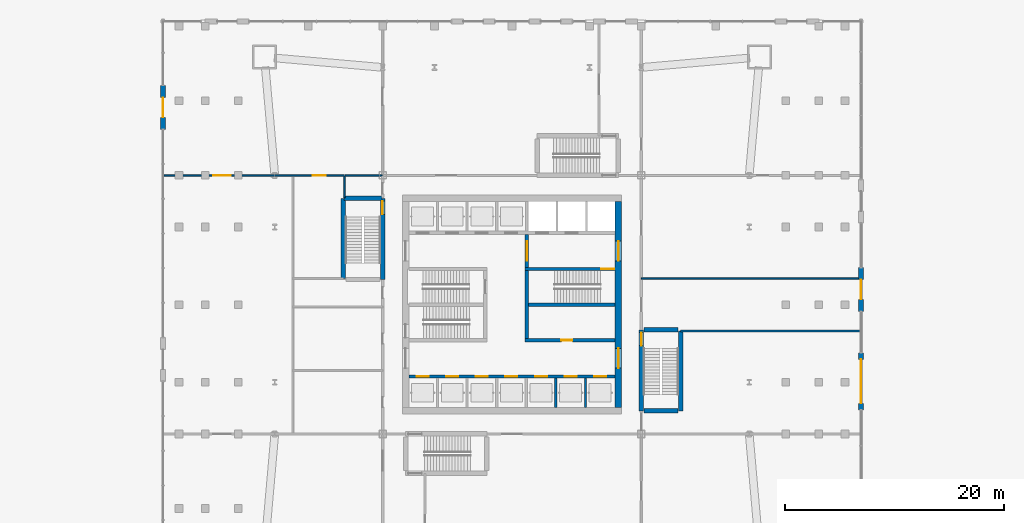
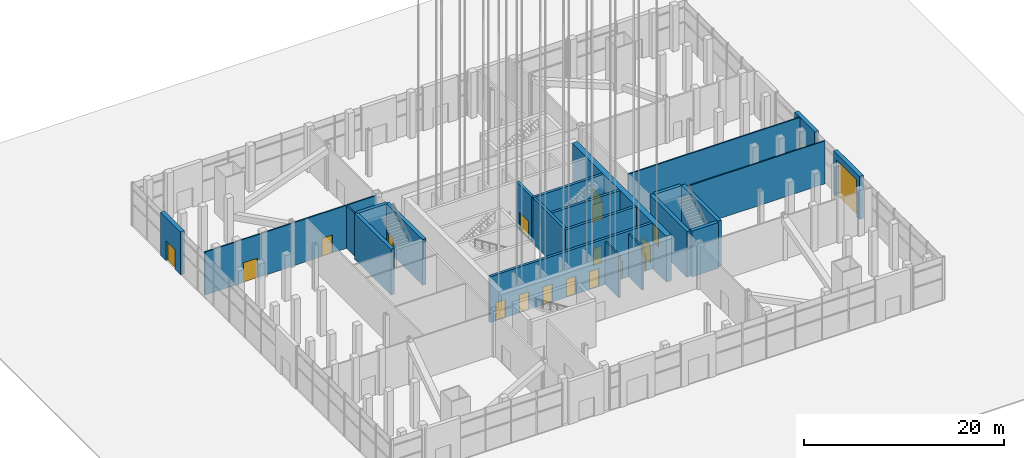
# One storey, part 13 of 27: 23 walls, 19 doors, 19 openings.
"""IFC4 building model written with IfcOpenShell, lengths in metres."""

from ifc_helpers import new_model, si_unit, direction, frame, frame_2d, origin, place, context, subcontext, project, spatial, rectangle, extrude, material, layer, layer_set, type_object, element, fill, save


model = new_model("IFC4")

# Units and contexts
model_context = context("Model", 3, precision=1e-05, world=origin(), true_north=direction((0.0, 1.0)))
body_context = subcontext(model_context, "Body", "Model", "MODEL_VIEW")
ifc_project = project(units=[si_unit("LENGTHUNIT", "METRE"), si_unit("AREAUNIT", "SQUARE_METRE"), si_unit("VOLUMEUNIT", "CUBIC_METRE"), si_unit("PLANEANGLEUNIT", "RADIAN"), si_unit("MASSUNIT", "GRAM", prefix="KILO")], contexts=[model_context])

# Site, building, storey
site_placement = place(None, origin())
site = spatial("IfcSite", under=ifc_project, at=site_placement, CompositionType="ELEMENT")
building_placement = place(site_placement, origin())
building = spatial("IfcBuilding", under=site, at=building_placement, Name="Turquesa Mirador Hotel Tower", CompositionType="ELEMENT")
storey_placement = place(building_placement, origin())
storey = spatial("IfcBuildingStorey", under=building, at=storey_placement, Name="L00", CompositionType="ELEMENT", Elevation=0.0)

# Wall, openings, doors
ifc_material_1 = material(Name="Concrete C50/60", Category="concrete")
ifc_layer_1 = layer(ifc_material_1, 0.300048828125)
ifc_layer_set_1 = layer_set([ifc_layer_1], Name="CORE INNER WALL 300")
wall_type_1 = type_object("IfcWallType", Name="CORE INNER WALL 300", PredefinedType="SHEAR", material=ifc_layer_set_1)
wall_1_placement = place(storey_placement, frame((45.60009765625, 38.449951171875, 0.0), z_axis=(0.0, 0.0, 1.0), x_axis=(1.0, 0.0, 0.0)))
wall_1 = element("IfcWall", 1, at=wall_1_placement, inside=storey, type_object=wall_type_1, Name="Core wall SL", PredefinedType="SHEAR", context=body_context, shape_type="SweptSolid", body=[
    extrude(rectangle(XDim=18.7998046875, YDim=0.300048828125, at=frame_2d((9.39990234375, 0.0))), origin(), (0.0, 0.0, 1.0), 5.60009765625),
])
opening_1_placement = place(wall_1_placement, frame((0.699951171875, 0.0, 0.0)))
opening_1 = element("IfcOpeningElement", 2, at=opening_1_placement, cuts=wall_1, Name="Opening LD", PredefinedType="OPENING", context=body_context, shape_type="SweptSolid", body=[
    extrude(rectangle(XDim=1.10009765625, YDim=2.199951171875, at=frame_2d((0.550048828125, 1.10009765625))), frame((0.0, 0.159912109375, 0.0), z_axis=(0.0, -1.0, 0.0), x_axis=(1.0, 0.0, 0.0)), (0.0, 0.0, 1.0), 0.320068359375),
])
opening_2_placement = place(wall_1_placement, frame((3.39990234375, 0.0, 0.0)))
opening_2 = element("IfcOpeningElement", 3, at=opening_2_placement, cuts=wall_1, Name="Opening LD", PredefinedType="OPENING", context=body_context, shape_type="SweptSolid", body=[
    extrude(rectangle(XDim=1.10009765625, YDim=2.199951171875, at=frame_2d((0.550048828125, 1.10009765625))), frame((0.0, 0.159912109375, 0.0), z_axis=(0.0, -1.0, 0.0), x_axis=(1.0, 0.0, 0.0)), (0.0, 0.0, 1.0), 0.320068359375),
])
opening_3_placement = place(wall_1_placement, frame((6.10009765625, 0.0, 0.0)))
opening_3 = element("IfcOpeningElement", 4, at=opening_3_placement, cuts=wall_1, Name="Opening LD", PredefinedType="OPENING", context=body_context, shape_type="SweptSolid", body=[
    extrude(rectangle(XDim=1.10009765625, YDim=2.199951171875, at=frame_2d((0.550048828125, 1.10009765625))), frame((0.0, 0.159912109375, 0.0), z_axis=(0.0, -1.0, 0.0), x_axis=(1.0, 0.0, 0.0)), (0.0, 0.0, 1.0), 0.320068359375),
])
opening_4_placement = place(wall_1_placement, frame((8.800048828125, 0.0, 0.0)))
opening_4 = element("IfcOpeningElement", 5, at=opening_4_placement, cuts=wall_1, Name="Opening LD", PredefinedType="OPENING", context=body_context, shape_type="SweptSolid", body=[
    extrude(rectangle(XDim=1.10009765625, YDim=2.199951171875, at=frame_2d((0.550048828125, 1.10009765625))), frame((0.0, 0.159912109375, 0.0), z_axis=(0.0, -1.0, 0.0), x_axis=(1.0, 0.0, 0.0)), (0.0, 0.0, 1.0), 0.320068359375),
])
opening_5_placement = place(wall_1_placement, frame((11.5, 0.0, 0.0)))
opening_5 = element("IfcOpeningElement", 6, at=opening_5_placement, cuts=wall_1, Name="Opening LD", PredefinedType="OPENING", context=body_context, shape_type="SweptSolid", body=[
    extrude(rectangle(XDim=1.10009765625, YDim=2.199951171875, at=frame_2d((0.550048828125, 1.10009765625))), frame((0.0, 0.159912109375, 0.0), z_axis=(0.0, -1.0, 0.0), x_axis=(1.0, 0.0, 0.0)), (0.0, 0.0, 1.0), 0.320068359375),
])
opening_6_placement = place(wall_1_placement, frame((14.199951171875, 0.0, 0.0)))
opening_6 = element("IfcOpeningElement", 7, at=opening_6_placement, cuts=wall_1, Name="Opening LD", PredefinedType="OPENING", context=body_context, shape_type="SweptSolid", body=[
    extrude(rectangle(XDim=1.10009765625, YDim=2.199951171875, at=frame_2d((0.550048828125, 1.10009765625))), frame((0.0, 0.159912109375, 0.0), z_axis=(0.0, -1.0, 0.0), x_axis=(1.0, 0.0, 0.0)), (0.0, 0.0, 1.0), 0.320068359375),
])
opening_7_placement = place(wall_1_placement, frame((16.89990234375, 0.0, 0.0)))
opening_7 = element("IfcOpeningElement", 8, at=opening_7_placement, cuts=wall_1, Name="Opening LD", PredefinedType="OPENING", context=body_context, shape_type="SweptSolid", body=[
    extrude(rectangle(XDim=1.10009765625, YDim=2.199951171875, at=frame_2d((0.550048828125, 1.10009765625))), frame((0.0, 0.159912109375, 0.0), z_axis=(0.0, -1.0, 0.0), x_axis=(1.0, 0.0, 0.0)), (0.0, 0.0, 1.0), 0.320068359375),
])
ifc_material_2 = material(Name="Stainless steel lift landing door", Category="steel")
door_type_1 = type_object("IfcDoorType", Name="LIFT LANDING DOOR 1100X2200", OperationType="SLIDING_TO_LEFT", PredefinedType="DOOR", material=ifc_material_2)
door_1_placement = place(opening_1_placement, origin())
door_1 = element("IfcDoor", 9, at=door_1_placement, inside=storey, type_object=door_type_1, Name="Lift B1 landing door", OperationType="SLIDING_TO_LEFT", OverallHeight=2.199951171875, OverallWidth=1.10009765625, PredefinedType="DOOR", context=body_context, shape_type="SweptSolid", body=[
    extrude(rectangle(XDim=1.10009765625, YDim=2.199951171875, at=frame_2d((0.550048828125, 1.10009765625))), frame((0.0, 0.02490234375, 0.0), z_axis=(0.0, -1.0, 0.0), x_axis=(1.0, 0.0, 0.0)), (0.0, 0.0, 1.0), 0.050048828125),
])
fill(opening_1, door_1)
door_2_placement = place(opening_2_placement, origin())
door_2 = element("IfcDoor", 10, at=door_2_placement, inside=storey, type_object=door_type_1, Name="Lift B2 landing door", OperationType="SLIDING_TO_LEFT", OverallHeight=2.199951171875, OverallWidth=1.10009765625, PredefinedType="DOOR", context=body_context, shape_type="SweptSolid", body=[
    extrude(rectangle(XDim=1.10009765625, YDim=2.199951171875, at=frame_2d((0.550048828125, 1.10009765625))), frame((0.0, 0.02490234375, 0.0), z_axis=(0.0, -1.0, 0.0), x_axis=(1.0, 0.0, 0.0)), (0.0, 0.0, 1.0), 0.050048828125),
])
fill(opening_2, door_2)
door_3_placement = place(opening_3_placement, origin())
door_3 = element("IfcDoor", 11, at=door_3_placement, inside=storey, type_object=door_type_1, Name="Lift B3 landing door", OperationType="SLIDING_TO_LEFT", OverallHeight=2.199951171875, OverallWidth=1.10009765625, PredefinedType="DOOR", context=body_context, shape_type="SweptSolid", body=[
    extrude(rectangle(XDim=1.10009765625, YDim=2.199951171875, at=frame_2d((0.550048828125, 1.10009765625))), frame((0.0, 0.02490234375, 0.0), z_axis=(0.0, -1.0, 0.0), x_axis=(1.0, 0.0, 0.0)), (0.0, 0.0, 1.0), 0.050048828125),
])
fill(opening_3, door_3)
door_4_placement = place(opening_4_placement, origin())
door_4 = element("IfcDoor", 12, at=door_4_placement, inside=storey, type_object=door_type_1, Name="Lift B4 landing door", OperationType="SLIDING_TO_LEFT", OverallHeight=2.199951171875, OverallWidth=1.10009765625, PredefinedType="DOOR", context=body_context, shape_type="SweptSolid", body=[
    extrude(rectangle(XDim=1.10009765625, YDim=2.199951171875, at=frame_2d((0.550048828125, 1.10009765625))), frame((0.0, 0.02490234375, 0.0), z_axis=(0.0, -1.0, 0.0), x_axis=(1.0, 0.0, 0.0)), (0.0, 0.0, 1.0), 0.050048828125),
])
fill(opening_4, door_4)
door_5_placement = place(opening_5_placement, origin())
door_5 = element("IfcDoor", 13, at=door_5_placement, inside=storey, type_object=door_type_1, Name="Lift X1 landing door", OperationType="SLIDING_TO_LEFT", OverallHeight=2.199951171875, OverallWidth=1.10009765625, PredefinedType="DOOR", context=body_context, shape_type="SweptSolid", body=[
    extrude(rectangle(XDim=1.10009765625, YDim=2.199951171875, at=frame_2d((0.550048828125, 1.10009765625))), frame((0.0, 0.02490234375, 0.0), z_axis=(0.0, -1.0, 0.0), x_axis=(1.0, 0.0, 0.0)), (0.0, 0.0, 1.0), 0.050048828125),
])
fill(opening_5, door_5)
door_6_placement = place(opening_6_placement, origin())
door_6 = element("IfcDoor", 14, at=door_6_placement, inside=storey, type_object=door_type_1, Name="Lift X2 landing door", OperationType="SLIDING_TO_LEFT", OverallHeight=2.199951171875, OverallWidth=1.10009765625, PredefinedType="DOOR", context=body_context, shape_type="SweptSolid", body=[
    extrude(rectangle(XDim=1.10009765625, YDim=2.199951171875, at=frame_2d((0.550048828125, 1.10009765625))), frame((0.0, 0.02490234375, 0.0), z_axis=(0.0, -1.0, 0.0), x_axis=(1.0, 0.0, 0.0)), (0.0, 0.0, 1.0), 0.050048828125),
])
fill(opening_6, door_6)
door_7_placement = place(opening_7_placement, origin())
door_7 = element("IfcDoor", 15, at=door_7_placement, inside=storey, type_object=door_type_1, Name="Lift X3 landing door", OperationType="SLIDING_TO_LEFT", OverallHeight=2.199951171875, OverallWidth=1.10009765625, PredefinedType="DOOR", context=body_context, shape_type="SweptSolid", body=[
    extrude(rectangle(XDim=1.10009765625, YDim=2.199951171875, at=frame_2d((0.550048828125, 1.10009765625))), frame((0.0, 0.02490234375, 0.0), z_axis=(0.0, -1.0, 0.0), x_axis=(1.0, 0.0, 0.0)), (0.0, 0.0, 1.0), 0.050048828125),
])
fill(opening_7, door_7)

# Wall, opening, door
wall_2_placement = place(storey_placement, frame((56.199951171875, 48.25, 0.0), z_axis=(0.0, 0.0, 1.0), x_axis=(1.0, 0.0, 0.0)))
wall_2 = element("IfcWall", 16, at=wall_2_placement, inside=storey, type_object=wall_type_1, Name="Core wall MN-E", PredefinedType="SHEAR", context=body_context, shape_type="SweptSolid", body=[
    extrude(rectangle(XDim=8.199951171875, YDim=0.300048828125, at=frame_2d((4.10009765625, 0.0))), origin(), (0.0, 0.0, 1.0), 5.60009765625),
])
opening_8_placement = place(wall_2_placement, frame((6.949951171875, 0.0, 0.0)))
opening_8 = element("IfcOpeningElement", 17, at=opening_8_placement, cuts=wall_2, Name="Opening D03", PredefinedType="OPENING", context=body_context, shape_type="SweptSolid", body=[
    extrude(rectangle(XDim=1.199951171875, YDim=2.199951171875, at=frame_2d((0.60009765625, 1.10009765625))), frame((0.0, 0.159912109375, 0.0), z_axis=(0.0, -1.0, 0.0), x_axis=(1.0, 0.0, 0.0)), (0.0, 0.0, 1.0), 0.320068359375),
])
ifc_material_3 = material(Name="Steel fire door", Category="steel")
door_type_2 = type_object("IfcDoorType", Name="DOOR 1200X2200 STAIR", OperationType="SINGLE_SWING_LEFT", PredefinedType="DOOR", material=ifc_material_3)
door_8_placement = place(opening_8_placement, origin())
door_8 = element("IfcDoor", 18, at=door_8_placement, inside=storey, type_object=door_type_2, Name="Stair ST3 door", OperationType="SINGLE_SWING_LEFT", OverallHeight=2.199951171875, OverallWidth=1.199951171875, PredefinedType="DOOR", context=body_context, shape_type="SweptSolid", body=[
    extrude(rectangle(XDim=1.199951171875, YDim=2.199951171875, at=frame_2d((0.60009765625, 1.10009765625))), frame((0.0, 0.02490234375, 0.0), z_axis=(0.0, -1.0, 0.0), x_axis=(1.0, 0.0, 0.0)), (0.0, 0.0, 1.0), 0.050048828125),
])
fill(opening_8, door_8)

wall_3_placement = place(storey_placement, frame((56.199951171875, 41.75, 0.0), z_axis=(0.0, 0.0, 1.0), x_axis=(1.0, 0.0, 0.0)))
wall_3 = element("IfcWall", 19, at=wall_3_placement, inside=storey, type_object=wall_type_1, Name="Core wall MS-E", PredefinedType="SHEAR", context=body_context, shape_type="SweptSolid", body=[
    extrude(rectangle(XDim=8.199951171875, YDim=0.300048828125, at=frame_2d((4.10009765625, 0.0))), origin(), (0.0, 0.0, 1.0), 5.60009765625),
])
opening_9_placement = place(wall_3_placement, frame((3.300048828125, 0.0, 0.0)))
opening_9 = element("IfcOpeningElement", 20, at=opening_9_placement, cuts=wall_3, Name="Opening D05", PredefinedType="OPENING", context=body_context, shape_type="SweptSolid", body=[
    extrude(rectangle(XDim=1.0, YDim=2.10009765625, at=frame_2d((0.5, 1.050048828125))), frame((0.0, 0.159912109375, 0.0), z_axis=(0.0, -1.0, 0.0), x_axis=(1.0, 0.0, 0.0)), (0.0, 0.0, 1.0), 0.320068359375),
])
ifc_material_4 = material(Name="Steel fire door", Category="steel")
door_type_3 = type_object("IfcDoorType", Name="DOOR 1000X2100 SERVICE", OperationType="SINGLE_SWING_LEFT", PredefinedType="DOOR", material=ifc_material_4)
door_9_placement = place(opening_9_placement, origin())
door_9 = element("IfcDoor", 21, at=door_9_placement, inside=storey, type_object=door_type_3, Name="Housekeeping room door", OperationType="SINGLE_SWING_LEFT", OverallHeight=2.10009765625, OverallWidth=1.0, PredefinedType="DOOR", context=body_context, shape_type="SweptSolid", body=[
    extrude(rectangle(XDim=1.0, YDim=2.10009765625, at=frame_2d((0.5, 1.050048828125))), frame((0.0, 0.02490234375, 0.0), z_axis=(0.0, -1.0, 0.0), x_axis=(1.0, 0.0, 0.0)), (0.0, 0.0, 1.0), 0.050048828125),
])
fill(opening_9, door_9)

wall_4_placement = place(storey_placement, frame((56.35009765625, 41.89990234375, 0.0), z_axis=(0.0, 0.0, 1.0), x_axis=(0.0, 1.0, 0.0)))
wall_4 = element("IfcWall", 22, at=wall_4_placement, inside=storey, type_object=wall_type_1, Name="Core wall PE", PredefinedType="SHEAR", context=body_context, shape_type="SweptSolid", body=[
    extrude(rectangle(XDim=9.5, YDim=0.300048828125, at=frame_2d((4.75, 0.0))), origin(), (0.0, 0.0, 1.0), 5.60009765625),
])
opening_10_placement = place(wall_4_placement, frame((7.10009765625, 0.0, 0.0)))
opening_10 = element("IfcOpeningElement", 23, at=opening_10_placement, cuts=wall_4, Name="Opening D04", PredefinedType="OPENING", context=body_context, shape_type="SweptSolid", body=[
    extrude(rectangle(XDim=1.800048828125, YDim=2.199951171875, at=frame_2d((0.89990234375, 1.10009765625))), frame((0.0, 0.159912109375, 0.0), z_axis=(0.0, -1.0, 0.0), x_axis=(1.0, 0.0, 0.0)), (0.0, 0.0, 1.0), 0.320068359375),
])
ifc_material_5 = material(Name="Steel fire door pair", Category="steel")
door_type_4 = type_object("IfcDoorType", Name="DOOR 1800X2200 PAIR", OperationType="DOUBLE_DOOR_SINGLE_SWING", PredefinedType="DOOR", material=ifc_material_5)
door_10_placement = place(opening_10_placement, origin())
door_10 = element("IfcDoor", 24, at=door_10_placement, inside=storey, type_object=door_type_4, Name="Firefighting lobby inner door", OperationType="DOUBLE_DOOR_SINGLE_SWING", OverallHeight=2.199951171875, OverallWidth=1.800048828125, PredefinedType="DOOR", context=body_context, shape_type="SweptSolid", body=[
    extrude(rectangle(XDim=1.800048828125, YDim=2.199951171875, at=frame_2d((0.89990234375, 1.10009765625))), frame((0.0, 0.02490234375, 0.0), z_axis=(0.0, -1.0, 0.0), x_axis=(1.0, 0.0, 0.0)), (0.0, 0.0, 1.0), 0.050048828125),
])
fill(opening_10, door_10)

# Wall
wall_5_placement = place(storey_placement, frame((56.5, 45.0, 0.0), z_axis=(0.0, 0.0, 1.0), x_axis=(1.0, 0.0, 0.0)))
element("IfcWall", 25, at=wall_5_placement, inside=storey, type_object=wall_type_1, Name="Core wall M0-E", PredefinedType="SHEAR", context=body_context, shape_type="SweptSolid", body=[
    extrude(rectangle(XDim=7.89990234375, YDim=0.300048828125, at=frame_2d((3.949951171875, 0.0))), origin(), (0.0, 0.0, 1.0), 5.60009765625),
])

# Wall, openings, doors
ifc_material_6 = material(Name="Concrete C50/60", Category="concrete")
ifc_layer_2 = layer(ifc_material_6, 0.60009765625)
ifc_layer_set_2 = layer_set([ifc_layer_2], Name="CORE WALL 600")
wall_type_2 = type_object("IfcWallType", Name="CORE WALL 600", PredefinedType="SHEAR", material=ifc_layer_set_2)
wall_6_placement = place(storey_placement, frame((64.699951171875, 35.60009765625, 0.0), z_axis=(0.0, 0.0, 1.0), x_axis=(0.0, 1.0, 0.0)))
wall_6 = element("IfcWall", 26, at=wall_6_placement, inside=storey, type_object=wall_type_2, Name="Core wall E", PredefinedType="SHEAR", context=body_context, shape_type="SweptSolid", body=[
    extrude(rectangle(XDim=18.7998046875, YDim=0.60009765625, at=frame_2d((9.39990234375, 0.0))), origin(), (0.0, 0.0, 1.0), 5.60009765625),
])
opening_11_placement = place(wall_6_placement, frame((13.39990234375, 0.0, 0.0)))
opening_11 = element("IfcOpeningElement", 27, at=opening_11_placement, cuts=wall_6, Name="Opening D04", PredefinedType="OPENING", context=body_context, shape_type="SweptSolid", body=[
    extrude(rectangle(XDim=1.800048828125, YDim=2.199951171875, at=frame_2d((0.89990234375, 1.10009765625))), frame((0.0, 0.31005859375, 0.0), z_axis=(0.0, -1.0, 0.0), x_axis=(1.0, 0.0, 0.0)), (0.0, 0.0, 1.0), 0.6201171875),
])
opening_12_placement = place(wall_6_placement, frame((3.60009765625, 0.0, 0.0)))
opening_12 = element("IfcOpeningElement", 28, at=opening_12_placement, cuts=wall_6, Name="Opening D04", PredefinedType="OPENING", context=body_context, shape_type="SweptSolid", body=[
    extrude(rectangle(XDim=1.800048828125, YDim=2.199951171875, at=frame_2d((0.89990234375, 1.10009765625))), frame((0.0, 0.31005859375, 0.0), z_axis=(0.0, -1.0, 0.0), x_axis=(1.0, 0.0, 0.0)), (0.0, 0.0, 1.0), 0.6201171875),
])
door_11_placement = place(opening_11_placement, origin())
door_11 = element("IfcDoor", 29, at=door_11_placement, inside=storey, type_object=door_type_4, Name="Firefighting lobby door", OperationType="DOUBLE_DOOR_SINGLE_SWING", OverallHeight=2.199951171875, OverallWidth=1.800048828125, PredefinedType="DOOR", context=body_context, shape_type="SweptSolid", body=[
    extrude(rectangle(XDim=1.800048828125, YDim=2.199951171875, at=frame_2d((0.89990234375, 1.10009765625))), frame((0.0, 0.02490234375, 0.0), z_axis=(0.0, -1.0, 0.0), x_axis=(1.0, 0.0, 0.0)), (0.0, 0.0, 1.0), 0.050048828125),
])
fill(opening_11, door_11)
door_12_placement = place(opening_12_placement, origin())
door_12 = element("IfcDoor", 30, at=door_12_placement, inside=storey, type_object=door_type_4, Name="South lift lobby door", OperationType="DOUBLE_DOOR_SINGLE_SWING", OverallHeight=2.199951171875, OverallWidth=1.800048828125, PredefinedType="DOOR", context=body_context, shape_type="SweptSolid", body=[
    extrude(rectangle(XDim=1.800048828125, YDim=2.199951171875, at=frame_2d((0.89990234375, 1.10009765625))), frame((0.0, 0.02490234375, 0.0), z_axis=(0.0, -1.0, 0.0), x_axis=(1.0, 0.0, 0.0)), (0.0, 0.0, 1.0), 0.050048828125),
])
fill(opening_12, door_12)

# Walls
ifc_material_7 = material(Name="Fire-rated gypsum shaft wall on steel studs", Category="steel")
ifc_layer_3 = layer(ifc_material_7, 0.199951171875)
ifc_layer_set_3 = layer_set([ifc_layer_3], Name="LIFT SHAFT DIVIDER 200")
wall_type_3 = type_object("IfcWallType", Name="LIFT SHAFT DIVIDER 200", PredefinedType="PARTITIONING", material=ifc_layer_set_3)
for number, where, z_axis, x_axis, name in (
    (31, (59.0, 35.60009765625, 0.0), (0.0, 0.0, 1.0), (0.0, 1.0, 0.0), "Lift shaft divider"),
    (32, (61.699951171875, 35.60009765625, 0.0), (0.0, 0.0, 1.0), (0.0, 1.0, 0.0), "Lift shaft divider"),
):
    element("IfcWall", number, at=place(storey_placement, frame(where, z_axis=z_axis, x_axis=x_axis)), inside=storey, type_object=wall_type_3, Name=name, PredefinedType="PARTITIONING", context=body_context, shape_type="SweptSolid", body=[
        extrude(rectangle(XDim=2.699951171875, YDim=0.199951171875, at=frame_2d((1.35009765625, 0.0))), origin(), (0.0, 0.0, 1.0), 5.25),
    ])
ifc_material_8 = material(Name="Gypsum board on steel studs", Category="steel")
ifc_layer_4 = layer(ifc_material_8, 0.14990234375)
ifc_layer_set_4 = layer_set([ifc_layer_4], Name="PARTITION 150")
wall_type_4 = type_object("IfcWallType", Name="PARTITION 150", PredefinedType="PARTITIONING", material=ifc_layer_set_4)
wall_7_placement = place(storey_placement, frame((70.39990234375, 42.60009765625, 0.0), z_axis=(0.0, 0.0, 1.0), x_axis=(1.0, 0.0, 0.0)))
element("IfcWall", 33, at=wall_7_placement, inside=storey, type_object=wall_type_4, Name="Partition L00 009", PredefinedType="PARTITIONING", context=body_context, shape_type="SweptSolid", body=[
    extrude(rectangle(XDim=16.34521484375, YDim=0.14990234375, at=frame_2d((8.172607421875, 0.0))), origin(), (0.0, 0.0, 1.0), 5.25),
])

# Wall, openings, doors
wall_8_placement = place(storey_placement, frame((23.2548828125, 56.800048828125, 0.0), z_axis=(0.0, 0.0, 1.0), x_axis=(1.0, 0.0, 0.0)))
wall_8 = element("IfcWall", 34, at=wall_8_placement, inside=storey, type_object=wall_type_4, Name="Partition L00 015", PredefinedType="PARTITIONING", context=body_context, shape_type="SweptSolid", body=[
    extrude(rectangle(XDim=16.445068359375, YDim=0.14990234375, at=frame_2d((8.22265625, 0.0))), origin(), (0.0, 0.0, 1.0), 5.25),
])
opening_13_placement = place(wall_8_placement, frame((13.544921875, 0.0, 0.0)))
opening_13 = element("IfcOpeningElement", 35, at=opening_13_placement, cuts=wall_8, Name="Opening D09", PredefinedType="OPENING", context=body_context, shape_type="SweptSolid", body=[
    extrude(rectangle(XDim=1.199951171875, YDim=2.199951171875, at=frame_2d((0.60009765625, 1.10009765625))), frame((0.0, 0.0849609375, 0.0), z_axis=(0.0, -1.0, 0.0), x_axis=(1.0, 0.0, 0.0)), (0.0, 0.0, 1.0), 0.169921875),
])
opening_14_placement = place(wall_8_placement, frame((4.4951171875, 0.0, 0.0)))
opening_14 = element("IfcOpeningElement", 36, at=opening_14_placement, cuts=wall_8, Name="Opening D08", PredefinedType="OPENING", context=body_context, shape_type="SweptSolid", body=[
    extrude(rectangle(XDim=1.60009765625, YDim=2.39990234375, at=frame_2d((0.800048828125, 1.199951171875))), frame((0.0, 0.0849609375, 0.0), z_axis=(0.0, -1.0, 0.0), x_axis=(1.0, 0.0, 0.0)), (0.0, 0.0, 1.0), 0.169921875),
])
ifc_material_9 = material(Name="Timber door", Category="wood")
door_type_5 = type_object("IfcDoorType", Name="DOOR 1200X2200 OFFICE", OperationType="SINGLE_SWING_LEFT", PredefinedType="DOOR", material=ifc_material_9)
door_13_placement = place(opening_13_placement, origin())
door_13 = element("IfcDoor", 37, at=door_13_placement, inside=storey, type_object=door_type_5, Name="Door L00-07", OperationType="SINGLE_SWING_LEFT", OverallHeight=2.199951171875, OverallWidth=1.199951171875, PredefinedType="DOOR", context=body_context, shape_type="SweptSolid", body=[
    extrude(rectangle(XDim=1.199951171875, YDim=2.199951171875, at=frame_2d((0.60009765625, 1.10009765625))), frame((0.0, 0.02490234375, 0.0), z_axis=(0.0, -1.0, 0.0), x_axis=(1.0, 0.0, 0.0)), (0.0, 0.0, 1.0), 0.050048828125),
])
fill(opening_13, door_13)
ifc_material_10 = material(Name="Aluminium glazed door pair", Category="aluminium")
door_type_6 = type_object("IfcDoorType", Name="DOOR 1600X2400 GLAZED PAIR", OperationType="DOUBLE_DOOR_SINGLE_SWING", PredefinedType="DOOR", material=ifc_material_10)
door_14_placement = place(opening_14_placement, origin())
door_14 = element("IfcDoor", 38, at=door_14_placement, inside=storey, type_object=door_type_6, Name="Door L00-09-1", OperationType="DOUBLE_DOOR_SINGLE_SWING", OverallHeight=2.39990234375, OverallWidth=1.60009765625, PredefinedType="DOOR", context=body_context, shape_type="SweptSolid", body=[
    extrude(rectangle(XDim=1.60009765625, YDim=2.39990234375, at=frame_2d((0.800048828125, 1.199951171875))), frame((0.0, 0.02490234375, 0.0), z_axis=(0.0, -1.0, 0.0), x_axis=(1.0, 0.0, 0.0)), (0.0, 0.0, 1.0), 0.050048828125),
])
fill(opening_14, door_14)

# Walls
wall_9_placement = place(storey_placement, frame((66.800048828125, 47.39990234375, 0.0), z_axis=(0.0, 0.0, 1.0), x_axis=(1.0, 0.0, 0.0)))
element("IfcWall", 39, at=wall_9_placement, inside=storey, type_object=wall_type_4, Name="Partition L00 020", PredefinedType="PARTITIONING", context=body_context, shape_type="SweptSolid", body=[
    extrude(rectangle(XDim=19.89990234375, YDim=0.14990234375, at=frame_2d((9.949951171875, 0.0))), origin(), (0.0, 0.0, 1.0), 5.25),
])
wall_10_placement = place(storey_placement, frame((39.699951171875, 54.760009765625, 0.0), z_axis=(0.0, 0.0, 1.0), x_axis=(0.0, 1.0, 0.0)))
element("IfcWall", 40, at=wall_10_placement, inside=storey, type_object=wall_type_4, Name="Partition L00 039", PredefinedType="PARTITIONING", context=body_context, shape_type="SweptSolid", body=[
    extrude(rectangle(XDim=1.97998046875, YDim=0.14990234375, at=frame_2d((0.989990234375, 0.0))), origin(), (0.0, 0.0, 1.0), 5.25),
])
wall_11_placement = place(storey_placement, frame((39.760009765625, 56.800048828125, 0.0), z_axis=(0.0, 0.0, 1.0), x_axis=(1.0, 0.0, 0.0)))
element("IfcWall", 41, at=wall_11_placement, inside=storey, type_object=wall_type_4, Name="Partition L00 040", PredefinedType="PARTITIONING", context=body_context, shape_type="SweptSolid", body=[
    extrude(rectangle(XDim=3.3798828125, YDim=0.14990234375, at=frame_2d((1.68994140625, 0.0))), origin(), (0.0, 0.0, 1.0), 5.25),
])

# Wall, opening, door
ifc_material_11 = material(Name="Limestone cladding on concrete block", Category="masonry")
ifc_layer_5 = layer(ifc_material_11, 0.449951171875)
ifc_layer_set_5 = layer_set([ifc_layer_5], Name="PORTAL WALL 450 STONE")
wall_type_5 = type_object("IfcWallType", Name="PORTAL WALL 450 STONE", PredefinedType="SOLIDWALL", material=ifc_layer_set_5)
wall_12_placement = place(storey_placement, frame((86.85009765625, 35.39990234375, 0.0), z_axis=(0.0, 0.0, 1.0), x_axis=(0.0, 1.0, 0.0)))
wall_12 = element("IfcWall", 42, at=wall_12_placement, inside=storey, type_object=wall_type_5, Name="Entrance portal L00", PredefinedType="SOLIDWALL", context=body_context, shape_type="SweptSolid", body=[
    extrude(rectangle(XDim=5.2001953125, YDim=0.449951171875, at=frame_2d((2.60009765625, 0.0))), origin(), (0.0, 0.0, 1.0), 5.25),
])
opening_15_placement = place(wall_12_placement, frame((0.60009765625, 0.0, 0.0)))
opening_15 = element("IfcOpeningElement", 43, at=opening_15_placement, cuts=wall_12, Name="Opening D12", PredefinedType="OPENING", context=body_context, shape_type="SweptSolid", body=[
    extrude(rectangle(XDim=4.0, YDim=4.5, at=frame_2d((2.0, 2.25))), frame((0.0, 0.23486328125, 0.0), z_axis=(0.0, -1.0, 0.0), x_axis=(1.0, 0.0, 0.0)), (0.0, 0.0, 1.0), 0.469970703125),
])
ifc_material_12 = material(Name="Steel roller shutter", Category="steel")
door_type_7 = type_object("IfcDoorType", Name="ROLLER SHUTTER 4000X4500", OperationType="USERDEFINED", PredefinedType="USERDEFINED", material=ifc_material_12)
door_15_placement = place(opening_15_placement, origin())
door_15 = element("IfcDoor", 44, at=door_15_placement, inside=storey, type_object=door_type_7, Name="External door L00 E", ObjectType="ROLLER SHUTTER", OperationType="USERDEFINED", OverallHeight=4.5, OverallWidth=4.0, PredefinedType="USERDEFINED", context=body_context, shape_type="SweptSolid", body=[
    extrude(rectangle(XDim=4.0, YDim=4.5, at=frame_2d((2.0, 2.25))), frame((0.0, 0.02490234375, 0.0), z_axis=(0.0, -1.0, 0.0), x_axis=(1.0, 0.0, 0.0)), (0.0, 0.0, 1.0), 0.050048828125),
])
fill(opening_15, door_15)

wall_13_placement = place(storey_placement, frame((86.85009765625, 44.375, 0.0), z_axis=(0.0, 0.0, 1.0), x_axis=(0.0, 1.0, 0.0)))
wall_13 = element("IfcWall", 45, at=wall_13_placement, inside=storey, type_object=wall_type_5, Name="Entrance portal L00", PredefinedType="SOLIDWALL", context=body_context, shape_type="SweptSolid", body=[
    extrude(rectangle(XDim=4.0, YDim=0.449951171875, at=frame_2d((2.0, 0.0))), origin(), (0.0, 0.0, 1.0), 5.25),
])
opening_16_placement = place(wall_13_placement, frame((1.10009765625, 0.0, 0.0)))
opening_16 = element("IfcOpeningElement", 46, at=opening_16_placement, cuts=wall_13, Name="Opening D13", PredefinedType="OPENING", context=body_context, shape_type="SweptSolid", body=[
    extrude(rectangle(XDim=1.800048828125, YDim=2.39990234375, at=frame_2d((0.89990234375, 1.199951171875))), frame((0.0, 0.23486328125, 0.0), z_axis=(0.0, -1.0, 0.0), x_axis=(1.0, 0.0, 0.0)), (0.0, 0.0, 1.0), 0.469970703125),
])
ifc_material_13 = material(Name="Steel external door pair", Category="steel")
door_type_8 = type_object("IfcDoorType", Name="EXIT DOOR 1800X2400 PAIR", OperationType="DOUBLE_DOOR_SINGLE_SWING", PredefinedType="DOOR", material=ifc_material_13)
door_16_placement = place(opening_16_placement, origin())
door_16 = element("IfcDoor", 47, at=door_16_placement, inside=storey, type_object=door_type_8, Name="External door L00 E", OperationType="DOUBLE_DOOR_SINGLE_SWING", OverallHeight=2.39990234375, OverallWidth=1.800048828125, PredefinedType="DOOR", context=body_context, shape_type="SweptSolid", body=[
    extrude(rectangle(XDim=1.800048828125, YDim=2.39990234375, at=frame_2d((0.89990234375, 1.199951171875))), frame((0.0, 0.02490234375, 0.0), z_axis=(0.0, -1.0, 0.0), x_axis=(1.0, 0.0, 0.0)), (0.0, 0.0, 1.0), 0.050048828125),
])
fill(opening_16, door_16)

wall_14_placement = place(storey_placement, frame((23.14990234375, 65.0, 0.0), z_axis=(0.0, 0.0, 1.0), x_axis=(0.0, -1.0, 0.0)))
wall_14 = element("IfcWall", 48, at=wall_14_placement, inside=storey, type_object=wall_type_5, Name="Entrance portal L00", PredefinedType="SOLIDWALL", context=body_context, shape_type="SweptSolid", body=[
    extrude(rectangle(XDim=4.0, YDim=0.449951171875, at=frame_2d((2.0, 0.0))), origin(), (0.0, 0.0, 1.0), 5.25),
])
opening_17_placement = place(wall_14_placement, frame((1.10009765625, 0.0, 0.0)))
opening_17 = element("IfcOpeningElement", 49, at=opening_17_placement, cuts=wall_14, Name="Opening D13", PredefinedType="OPENING", context=body_context, shape_type="SweptSolid", body=[
    extrude(rectangle(XDim=1.800048828125, YDim=2.39990234375, at=frame_2d((0.89990234375, 1.199951171875))), frame((0.0, 0.23486328125, 0.0), z_axis=(0.0, -1.0, 0.0), x_axis=(1.0, 0.0, 0.0)), (0.0, 0.0, 1.0), 0.469970703125),
])
door_17_placement = place(opening_17_placement, origin())
door_17 = element("IfcDoor", 50, at=door_17_placement, inside=storey, type_object=door_type_8, Name="External door L00 W", OperationType="DOUBLE_DOOR_SINGLE_SWING", OverallHeight=2.39990234375, OverallWidth=1.800048828125, PredefinedType="DOOR", context=body_context, shape_type="SweptSolid", body=[
    extrude(rectangle(XDim=1.800048828125, YDim=2.39990234375, at=frame_2d((0.89990234375, 1.199951171875))), frame((0.0, 0.02490234375, 0.0), z_axis=(0.0, -1.0, 0.0), x_axis=(1.0, 0.0, 0.0)), (0.0, 0.0, 1.0), 0.050048828125),
])
fill(opening_17, door_17)

# Walls
ifc_material_14 = material(Name="Concrete C50/60", Category="concrete")
ifc_layer_6 = layer(ifc_material_14, 0.39990234375)
ifc_layer_set_6 = layer_set([ifc_layer_6], Name="STAIR WALL 400")
wall_type_6 = type_object("IfcWallType", Name="STAIR WALL 400", PredefinedType="SHEAR", material=ifc_layer_set_6)
for number, where, z_axis, x_axis, name in (
    (51, (67.070068359375, 42.699951171875, 0.0), (0.0, 0.0, 1.0), (1.0, 0.0, 0.0), "Stair wall L00 008"),
    (52, (67.070068359375, 35.300048828125, 0.0), (0.0, 0.0, 1.0), (1.0, 0.0, 0.0), "Stair wall L00 011"),
):
    element("IfcWall", number, at=place(storey_placement, frame(where, z_axis=z_axis, x_axis=x_axis)), inside=storey, type_object=wall_type_6, Name=name, PredefinedType="SHEAR", context=body_context, shape_type="SweptSolid", body=[
        extrude(rectangle(XDim=3.059814453125, YDim=0.39990234375, at=frame_2d((1.52978515625, 0.0))), origin(), (0.0, 0.0, 1.0), 5.60009765625),
    ])

# Wall, opening, door
wall_15_placement = place(storey_placement, frame((43.199951171875, 47.300048828125, 0.0), z_axis=(0.0, 0.0, 1.0), x_axis=(0.0, 1.0, 0.0)))
wall_15 = element("IfcWall", 53, at=wall_15_placement, inside=storey, type_object=wall_type_6, Name="Stair wall L00 023", PredefinedType="SHEAR", context=body_context, shape_type="SweptSolid", body=[
    extrude(rectangle(XDim=7.39990234375, YDim=0.39990234375, at=frame_2d((3.699951171875, 0.0))), origin(), (0.0, 0.0, 1.0), 5.60009765625),
])
opening_18_placement = place(wall_15_placement, frame((5.949951171875, 0.0, 0.0)))
opening_18 = element("IfcOpeningElement", 54, at=opening_18_placement, cuts=wall_15, Name="Opening D03", PredefinedType="OPENING", context=body_context, shape_type="SweptSolid", body=[
    extrude(rectangle(XDim=1.199951171875, YDim=2.199951171875, at=frame_2d((0.60009765625, 1.10009765625))), frame((0.0, 0.2099609375, 0.0), z_axis=(0.0, -1.0, 0.0), x_axis=(1.0, 0.0, 0.0)), (0.0, 0.0, 1.0), 0.419921875),
])
door_18_placement = place(opening_18_placement, origin())
door_18 = element("IfcDoor", 55, at=door_18_placement, inside=storey, type_object=door_type_2, Name="Door L00-PS4", OperationType="SINGLE_SWING_LEFT", OverallHeight=2.199951171875, OverallWidth=1.199951171875, PredefinedType="DOOR", context=body_context, shape_type="SweptSolid", body=[
    extrude(rectangle(XDim=1.199951171875, YDim=2.199951171875, at=frame_2d((0.60009765625, 1.10009765625))), frame((0.0, 0.02490234375, 0.0), z_axis=(0.0, -1.0, 0.0), x_axis=(1.0, 0.0, 0.0)), (0.0, 0.0, 1.0), 0.050048828125),
])
fill(opening_18, door_18)

# Wall
wall_16_placement = place(storey_placement, frame((39.60009765625, 47.39990234375, 0.0), z_axis=(0.0, 0.0, 1.0), x_axis=(0.0, 1.0, 0.0)))
element("IfcWall", 56, at=wall_16_placement, inside=storey, type_object=wall_type_6, Name="Stair wall L00 024", PredefinedType="SHEAR", context=body_context, shape_type="SweptSolid", body=[
    extrude(rectangle(XDim=7.300048828125, YDim=0.39990234375, at=frame_2d((3.64990234375, 0.0))), origin(), (0.0, 0.0, 1.0), 5.60009765625),
])

# Wall, opening, door
wall_17_placement = place(storey_placement, frame((66.800048828125, 35.300048828125, 0.0), z_axis=(0.0, 0.0, 1.0), x_axis=(0.0, 1.0, 0.0)))
wall_17 = element("IfcWall", 57, at=wall_17_placement, inside=storey, type_object=wall_type_6, Name="Stair wall L00 032", PredefinedType="SHEAR", context=body_context, shape_type="SweptSolid", body=[
    extrude(rectangle(XDim=7.39990234375, YDim=0.39990234375, at=frame_2d((3.699951171875, 0.0))), origin(), (0.0, 0.0, 1.0), 5.60009765625),
])
opening_19_placement = place(wall_17_placement, frame((5.949951171875, 0.0, 0.0)))
opening_19 = element("IfcOpeningElement", 58, at=opening_19_placement, cuts=wall_17, Name="Opening D03", PredefinedType="OPENING", context=body_context, shape_type="SweptSolid", body=[
    extrude(rectangle(XDim=1.199951171875, YDim=2.199951171875, at=frame_2d((0.60009765625, 1.10009765625))), frame((0.0, 0.2099609375, 0.0), z_axis=(0.0, -1.0, 0.0), x_axis=(1.0, 0.0, 0.0)), (0.0, 0.0, 1.0), 0.419921875),
])
door_19_placement = place(opening_19_placement, origin())
door_19 = element("IfcDoor", 59, at=door_19_placement, inside=storey, type_object=door_type_2, Name="Door L00-PS3", OperationType="SINGLE_SWING_LEFT", OverallHeight=2.199951171875, OverallWidth=1.199951171875, PredefinedType="DOOR", context=body_context, shape_type="SweptSolid", body=[
    extrude(rectangle(XDim=1.199951171875, YDim=2.199951171875, at=frame_2d((0.60009765625, 1.10009765625))), frame((0.0, 0.02490234375, 0.0), z_axis=(0.0, -1.0, 0.0), x_axis=(1.0, 0.0, 0.0)), (0.0, 0.0, 1.0), 0.050048828125),
])
fill(opening_19, door_19)

# Walls
wall_18_placement = place(storey_placement, frame((70.39990234375, 35.300048828125, 0.0), z_axis=(0.0, 0.0, 1.0), x_axis=(0.0, 1.0, 0.0)))
element("IfcWall", 60, at=wall_18_placement, inside=storey, type_object=wall_type_6, Name="Stair wall L00 033", PredefinedType="SHEAR", context=body_context, shape_type="SweptSolid", body=[
    extrude(rectangle(XDim=7.300048828125, YDim=0.39990234375, at=frame_2d((3.64990234375, 0.0))), origin(), (0.0, 0.0, 1.0), 5.60009765625),
])
wall_19_placement = place(storey_placement, frame((43.139892578125, 54.699951171875, 0.0), z_axis=(0.0, 0.0, 1.0), x_axis=(-1.0, 0.0, 0.0)))
element("IfcWall", 61, at=wall_19_placement, inside=storey, type_object=wall_type_6, Name="Stair wall L00 037", PredefinedType="SHEAR", context=body_context, shape_type="SweptSolid", body=[
    extrude(rectangle(XDim=3.47998046875, YDim=0.39990234375, at=frame_2d((1.739990234375, 0.0))), origin(), (0.0, 0.0, 1.0), 5.60009765625),
])

save(model, "model.ifc")
